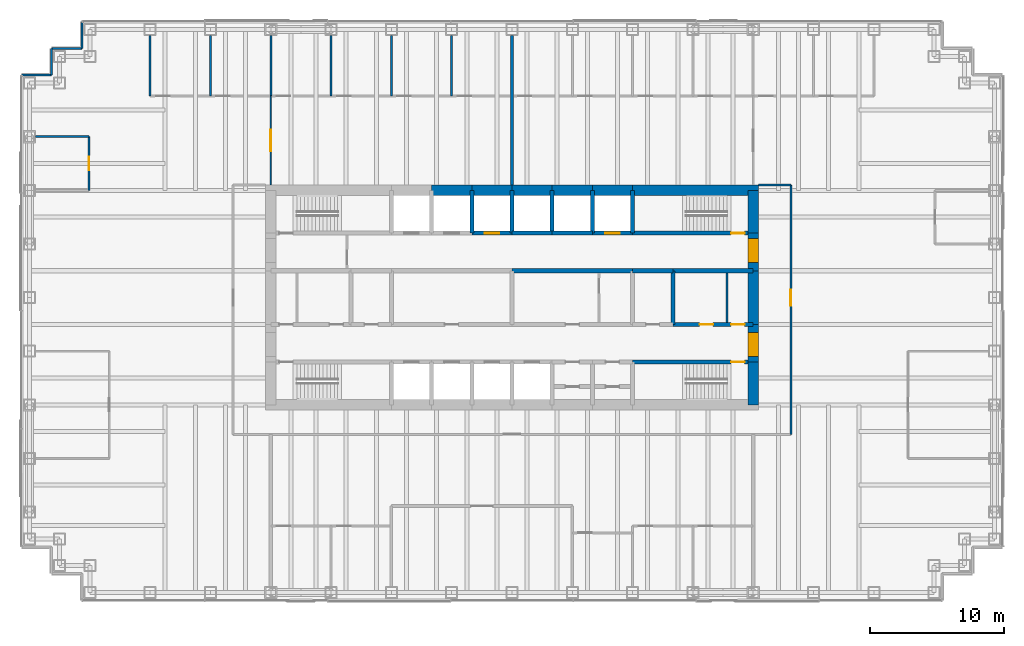
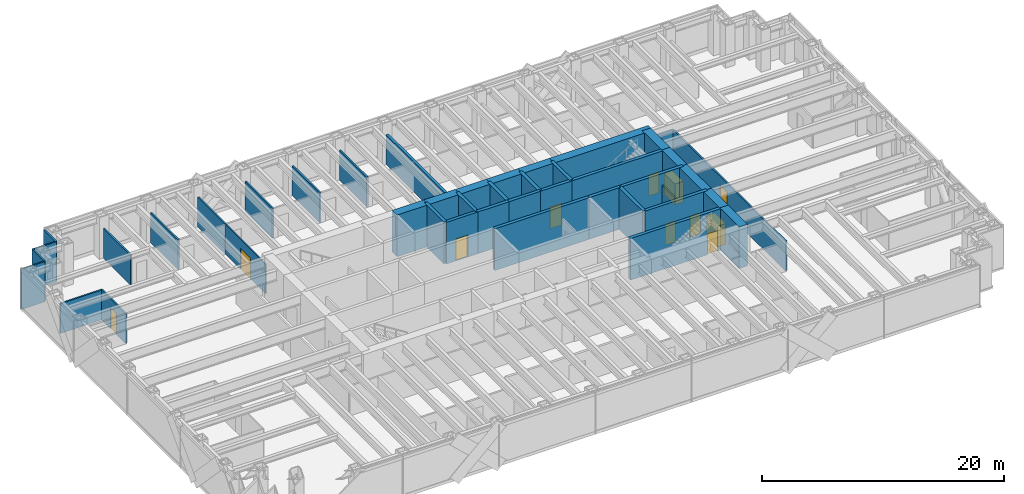
# One storey, part 14 of 17: 44 walls, 11 doors, 11 openings.
"""IFC4 building model written with IfcOpenShell, lengths in metres."""

from ifc_helpers import new_model, si_unit, direction, frame, frame_2d, origin, place, context, subcontext, project, spatial, rectangle, extrude, material, layer, layer_set, type_object, element, fill, save


model = new_model("IFC4")

# Units and contexts
model_context = context("Model", 3, precision=1e-05, world=origin(), true_north=direction((0.0, 1.0)))
body_context = subcontext(model_context, "Body", "Model", "MODEL_VIEW")
ifc_project = project(units=[si_unit("LENGTHUNIT", "METRE"), si_unit("AREAUNIT", "SQUARE_METRE"), si_unit("VOLUMEUNIT", "CUBIC_METRE"), si_unit("PLANEANGLEUNIT", "RADIAN"), si_unit("MASSUNIT", "GRAM", prefix="KILO")], contexts=[model_context])

# Site, building, storey
site_placement = place(None, origin())
site = spatial("IfcSite", under=ifc_project, at=site_placement, CompositionType="ELEMENT")
building_placement = place(site_placement, origin())
building = spatial("IfcBuilding", under=site, at=building_placement, Name="Rheinbord Bourse Tower", CompositionType="ELEMENT")
storey_placement = place(building_placement, frame((0.0, 0.0, 227.800048828125)))
storey = spatial("IfcBuildingStorey", under=building, at=storey_placement, Name="L51", CompositionType="ELEMENT", Elevation=227.800048828125)

# Wall, opening, door
ifc_material_1 = material(Name="Concrete C50/60", Category="concrete")
ifc_layer_1 = layer(ifc_material_1, 0.300048828125)
ifc_layer_set_1 = layer_set([ifc_layer_1], Name="CORE INNER WALL 300")
wall_type_1 = type_object("IfcWallType", Name="CORE INNER WALL 300", PredefinedType="SOLIDWALL", material=ifc_layer_set_1)
wall_1_placement = place(storey_placement, frame((45.0, 19.199951171875, 0.0), z_axis=(0.0, 0.0, 1.0), x_axis=(1.0, 0.0, 0.0)))
wall_1 = element("IfcWall", 1, at=wall_1_placement, inside=storey, type_object=wall_type_1, Name="Core wall A8 L51", PredefinedType="SOLIDWALL", context=body_context, shape_type="SweptSolid", body=[
    extrude(rectangle(XDim=9.0, YDim=0.300048828125, at=frame_2d((4.5, 0.0))), origin(), (0.0, 0.0, 1.0), 4.199951171875),
])
opening_1_placement = place(wall_1_placement, frame((7.35009765625, 0.0, 0.0)))
opening_1 = element("IfcOpeningElement", 2, at=opening_1_placement, cuts=wall_1, Name="Opening 5130", PredefinedType="OPENING", context=body_context, shape_type="SweptSolid", body=[
    extrude(rectangle(XDim=1.0, YDim=2.10009765625, at=frame_2d((0.5, 1.050048828125))), frame((0.0, 0.159912109375, 0.0), z_axis=(0.0, -1.0, 0.0), x_axis=(1.0, 0.0, 0.0)), (0.0, 0.0, 1.0), 0.320068359375),
])
ifc_material_2 = material(Name="Steel door", Category="steel")
door_type_1 = type_object("IfcDoorType", Name="DOOR 1000 EI30", OperationType="SINGLE_SWING_LEFT", PredefinedType="DOOR", material=ifc_material_2)
door_1_placement = place(opening_1_placement, origin())
door_1 = element("IfcDoor", 3, at=door_1_placement, inside=storey, type_object=door_type_1, Name="Stair door ST3 L51", OperationType="SINGLE_SWING_RIGHT", OverallHeight=2.10009765625, OverallWidth=1.0, PredefinedType="DOOR", context=body_context, shape_type="SweptSolid", body=[
    extrude(rectangle(XDim=1.0, YDim=2.10009765625, at=frame_2d((0.5, 1.050048828125))), frame((0.0, 0.02490234375, 0.0), z_axis=(0.0, -1.0, 0.0), x_axis=(1.0, 0.0, 0.0)), (0.0, 0.0, 1.0), 0.050048828125),
])
fill(opening_1, door_1)

wall_2_placement = place(storey_placement, frame((33.0, 28.800048828125, 0.0), z_axis=(0.0, 0.0, 1.0), x_axis=(1.0, 0.0, 0.0)))
wall_2 = element("IfcWall", 4, at=wall_2_placement, inside=storey, type_object=wall_type_1, Name="Core wall B4 L51", PredefinedType="SOLIDWALL", context=body_context, shape_type="SweptSolid", body=[
    extrude(rectangle(XDim=3.0, YDim=0.300048828125, at=frame_2d((1.5, 0.0))), origin(), (0.0, 0.0, 1.0), 4.199951171875),
])
opening_2_placement = place(wall_2_placement, frame((0.949951171875, 0.0, 0.0)))
opening_2 = element("IfcOpeningElement", 5, at=opening_2_placement, cuts=wall_2, Name="Opening PC5", PredefinedType="OPENING", context=body_context, shape_type="SweptSolid", body=[
    extrude(rectangle(XDim=1.10009765625, YDim=2.199951171875, at=frame_2d((0.550048828125, 1.10009765625))), frame((0.0, 0.159912109375, 0.0), z_axis=(0.0, -1.0, 0.0), x_axis=(1.0, 0.0, 0.0)), (0.0, 0.0, 1.0), 0.320068359375),
])
ifc_material_3 = material(Name="Steel landing door", Category="steel")
door_type_2 = type_object("IfcDoorType", Name="LIFT LANDING DOOR 1100", OperationType="DOUBLE_DOOR_SLIDING", PredefinedType="USERDEFINED", material=ifc_material_3)
door_2_placement = place(opening_2_placement, origin())
door_2 = element("IfcDoor", 6, at=door_2_placement, inside=storey, type_object=door_type_2, Name="Lift landing door PC5 L51", ObjectType="LIFT LANDING DOOR", OperationType="DOUBLE_DOOR_SLIDING", OverallHeight=2.199951171875, OverallWidth=1.10009765625, PredefinedType="USERDEFINED", context=body_context, shape_type="SweptSolid", body=[
    extrude(rectangle(XDim=1.10009765625, YDim=2.199951171875, at=frame_2d((0.550048828125, 1.10009765625))), frame((0.0, 0.02490234375, 0.0), z_axis=(0.0, -1.0, 0.0), x_axis=(1.0, 0.0, 0.0)), (0.0, 0.0, 1.0), 0.050048828125),
])
fill(opening_2, door_2)

# Walls
for number, where, z_axis, x_axis, name in (
    (7, (36.0, 28.800048828125, 0.0), (0.0, 0.0, 1.0), (1.0, 0.0, 0.0), "Core wall B5 L51"),
    (8, (39.0, 28.800048828125, 0.0), (0.0, 0.0, 1.0), (1.0, 0.0, 0.0), "Core wall B6 L51"),
):
    element("IfcWall", number, at=place(storey_placement, frame(where, z_axis=z_axis, x_axis=x_axis)), inside=storey, type_object=wall_type_1, Name=name, PredefinedType="SOLIDWALL", context=body_context, shape_type="SweptSolid", body=[
        extrude(rectangle(XDim=3.0, YDim=0.300048828125, at=frame_2d((1.5, 0.0))), origin(), (0.0, 0.0, 1.0), 4.199951171875),
    ])

# Wall, opening, door
wall_3_placement = place(storey_placement, frame((42.0, 28.800048828125, 0.0), z_axis=(0.0, 0.0, 1.0), x_axis=(1.0, 0.0, 0.0)))
wall_3 = element("IfcWall", 9, at=wall_3_placement, inside=storey, type_object=wall_type_1, Name="Core wall B7 L51", PredefinedType="SOLIDWALL", context=body_context, shape_type="SweptSolid", body=[
    extrude(rectangle(XDim=3.0, YDim=0.300048828125, at=frame_2d((1.5, 0.0))), origin(), (0.0, 0.0, 1.0), 4.199951171875),
])
opening_3_placement = place(wall_3_placement, frame((0.949951171875, 0.0, 0.0)))
opening_3 = element("IfcOpeningElement", 10, at=opening_3_placement, cuts=wall_3, Name="Opening FL2", PredefinedType="OPENING", context=body_context, shape_type="SweptSolid", body=[
    extrude(rectangle(XDim=1.10009765625, YDim=2.199951171875, at=frame_2d((0.550048828125, 1.10009765625))), frame((0.0, 0.159912109375, 0.0), z_axis=(0.0, -1.0, 0.0), x_axis=(1.0, 0.0, 0.0)), (0.0, 0.0, 1.0), 0.320068359375),
])
door_3_placement = place(opening_3_placement, origin())
door_3 = element("IfcDoor", 11, at=door_3_placement, inside=storey, type_object=door_type_2, Name="Lift landing door FL2 L51", ObjectType="LIFT LANDING DOOR", OperationType="DOUBLE_DOOR_SLIDING", OverallHeight=2.199951171875, OverallWidth=1.10009765625, PredefinedType="USERDEFINED", context=body_context, shape_type="SweptSolid", body=[
    extrude(rectangle(XDim=1.10009765625, YDim=2.199951171875, at=frame_2d((0.550048828125, 1.10009765625))), frame((0.0, 0.02490234375, 0.0), z_axis=(0.0, -1.0, 0.0), x_axis=(1.0, 0.0, 0.0)), (0.0, 0.0, 1.0), 0.050048828125),
])
fill(opening_3, door_3)

wall_4_placement = place(storey_placement, frame((45.0, 28.800048828125, 0.0), z_axis=(0.0, 0.0, 1.0), x_axis=(1.0, 0.0, 0.0)))
wall_4 = element("IfcWall", 12, at=wall_4_placement, inside=storey, type_object=wall_type_1, Name="Core wall B8 L51", PredefinedType="SOLIDWALL", context=body_context, shape_type="SweptSolid", body=[
    extrude(rectangle(XDim=9.0, YDim=0.300048828125, at=frame_2d((4.5, 0.0))), origin(), (0.0, 0.0, 1.0), 4.199951171875),
])
opening_4_placement = place(wall_4_placement, frame((7.35009765625, 0.0, 0.0)))
opening_4 = element("IfcOpeningElement", 13, at=opening_4_placement, cuts=wall_4, Name="Opening 5140", PredefinedType="OPENING", context=body_context, shape_type="SweptSolid", body=[
    extrude(rectangle(XDim=1.0, YDim=2.10009765625, at=frame_2d((0.5, 1.050048828125))), frame((0.0, 0.159912109375, 0.0), z_axis=(0.0, -1.0, 0.0), x_axis=(1.0, 0.0, 0.0)), (0.0, 0.0, 1.0), 0.320068359375),
])
door_4_placement = place(opening_4_placement, origin())
door_4 = element("IfcDoor", 14, at=door_4_placement, inside=storey, type_object=door_type_1, Name="Stair door ST4 L51", OperationType="SINGLE_SWING_RIGHT", OverallHeight=2.10009765625, OverallWidth=1.0, PredefinedType="DOOR", context=body_context, shape_type="SweptSolid", body=[
    extrude(rectangle(XDim=1.0, YDim=2.10009765625, at=frame_2d((0.5, 1.050048828125))), frame((0.0, 0.02490234375, 0.0), z_axis=(0.0, -1.0, 0.0), x_axis=(1.0, 0.0, 0.0)), (0.0, 0.0, 1.0), 0.050048828125),
])
fill(opening_4, door_4)

# Wall, openings, doors
wall_5_placement = place(storey_placement, frame((48.0, 22.0, 0.0), z_axis=(0.0, 0.0, 1.0), x_axis=(1.0, 0.0, 0.0)))
wall_5 = element("IfcWall", 15, at=wall_5_placement, inside=storey, type_object=wall_type_1, Name="Core wall C6 L51", PredefinedType="SOLIDWALL", context=body_context, shape_type="SweptSolid", body=[
    extrude(rectangle(XDim=6.0, YDim=0.300048828125, at=frame_2d((3.0, 0.0))), origin(), (0.0, 0.0, 1.0), 4.199951171875),
])
opening_5_placement = place(wall_5_placement, frame((2.0, 0.0, 0.0)))
opening_5 = element("IfcOpeningElement", 16, at=opening_5_placement, cuts=wall_5, Name="Opening 51R6", PredefinedType="OPENING", context=body_context, shape_type="SweptSolid", body=[
    extrude(rectangle(XDim=1.0, YDim=2.10009765625, at=frame_2d((0.5, 1.050048828125))), frame((0.0, 0.159912109375, 0.0), z_axis=(0.0, -1.0, 0.0), x_axis=(1.0, 0.0, 0.0)), (0.0, 0.0, 1.0), 0.320068359375),
])
opening_6_placement = place(wall_5_placement, frame((4.35009765625, 0.0, 0.0)))
opening_6 = element("IfcOpeningElement", 17, at=opening_6_placement, cuts=wall_5, Name="Opening 51R10", PredefinedType="OPENING", context=body_context, shape_type="SweptSolid", body=[
    extrude(rectangle(XDim=1.0, YDim=2.10009765625, at=frame_2d((0.5, 1.050048828125))), frame((0.0, 0.159912109375, 0.0), z_axis=(0.0, -1.0, 0.0), x_axis=(1.0, 0.0, 0.0)), (0.0, 0.0, 1.0), 0.320068359375),
])
door_5_placement = place(opening_6_placement, origin())
door_5 = element("IfcDoor", 18, at=door_5_placement, inside=storey, type_object=door_type_1, Name="Cleaner's store door L51", OperationType="SINGLE_SWING_RIGHT", OverallHeight=2.10009765625, OverallWidth=1.0, PredefinedType="DOOR", context=body_context, shape_type="SweptSolid", body=[
    extrude(rectangle(XDim=1.0, YDim=2.10009765625, at=frame_2d((0.5, 1.050048828125))), frame((0.0, 0.02490234375, 0.0), z_axis=(0.0, -1.0, 0.0), x_axis=(1.0, 0.0, 0.0)), (0.0, 0.0, 1.0), 0.050048828125),
])
fill(opening_6, door_5)
ifc_material_4 = material(Name="Timber door", Category="wood")
door_type_3 = type_object("IfcDoorType", Name="DOOR 1000 WC", OperationType="SINGLE_SWING_LEFT", PredefinedType="DOOR", material=ifc_material_4)
door_6_placement = place(opening_5_placement, origin())
door_6 = element("IfcDoor", 19, at=door_6_placement, inside=storey, type_object=door_type_3, Name="WC women door L51", OperationType="SINGLE_SWING_LEFT", OverallHeight=2.10009765625, OverallWidth=1.0, PredefinedType="DOOR", context=body_context, shape_type="SweptSolid", body=[
    extrude(rectangle(XDim=1.0, YDim=2.10009765625, at=frame_2d((0.5, 1.050048828125))), frame((0.0, 0.02490234375, 0.0), z_axis=(0.0, -1.0, 0.0), x_axis=(1.0, 0.0, 0.0)), (0.0, 0.0, 1.0), 0.050048828125),
])
fill(opening_5, door_6)

# Walls
wall_6_placement = place(storey_placement, frame((36.0, 26.0, 0.0), z_axis=(0.0, 0.0, 1.0), x_axis=(1.0, 0.0, 0.0)))
element("IfcWall", 20, at=wall_6_placement, inside=storey, type_object=wall_type_1, Name="Core wall D4 L51", PredefinedType="SOLIDWALL", context=body_context, shape_type="SweptSolid", body=[
    extrude(rectangle(XDim=9.0, YDim=0.300048828125, at=frame_2d((4.5, 0.0))), origin(), (0.0, 0.0, 1.0), 4.199951171875),
])
wall_7_placement = place(storey_placement, frame((45.0, 26.0, 0.0), z_axis=(0.0, 0.0, 1.0), x_axis=(1.0, 0.0, 0.0)))
element("IfcWall", 21, at=wall_7_placement, inside=storey, type_object=wall_type_1, Name="Core wall D5 L51", PredefinedType="SOLIDWALL", context=body_context, shape_type="SweptSolid", body=[
    extrude(rectangle(XDim=3.0, YDim=0.300048828125, at=frame_2d((1.5, 0.0))), origin(), (0.0, 0.0, 1.0), 4.199951171875),
])
wall_8_placement = place(storey_placement, frame((48.0, 26.0, 0.0), z_axis=(0.0, 0.0, 1.0), x_axis=(1.0, 0.0, 0.0)))
element("IfcWall", 22, at=wall_8_placement, inside=storey, type_object=wall_type_1, Name="Core wall D6 L51", PredefinedType="SOLIDWALL", context=body_context, shape_type="SweptSolid", body=[
    extrude(rectangle(XDim=6.0, YDim=0.300048828125, at=frame_2d((3.0, 0.0))), origin(), (0.0, 0.0, 1.0), 4.199951171875),
])
for number, where, z_axis, x_axis, name in (
    (23, (33.0, 28.800048828125, 0.0), (0.0, 0.0, 1.0), (0.0, 1.0, 0.0), "Core wall NX33 L51"),
    (24, (36.0, 28.800048828125, 0.0), (0.0, 0.0, 1.0), (0.0, 1.0, 0.0), "Core wall NX36 L51"),
    (25, (39.0, 28.800048828125, 0.0), (0.0, 0.0, 1.0), (0.0, 1.0, 0.0), "Core wall NX39 L51"),
    (26, (42.0, 28.800048828125, 0.0), (0.0, 0.0, 1.0), (0.0, 1.0, 0.0), "Core wall NX42 L51"),
    (27, (45.0, 28.800048828125, 0.0), (0.0, 0.0, 1.0), (0.0, 1.0, 0.0), "Core wall NX45 L51"),
):
    element("IfcWall", number, at=place(storey_placement, frame(where, z_axis=z_axis, x_axis=x_axis)), inside=storey, type_object=wall_type_1, Name=name, PredefinedType="SOLIDWALL", context=body_context, shape_type="SweptSolid", body=[
        extrude(rectangle(XDim=3.199951171875, YDim=0.300048828125, at=frame_2d((1.60009765625, 0.0))), origin(), (0.0, 0.0, 1.0), 4.199951171875),
    ])
wall_9_placement = place(storey_placement, frame((48.0, 22.0, 0.0), z_axis=(0.0, 0.0, 1.0), x_axis=(0.0, 1.0, 0.0)))
element("IfcWall", 28, at=wall_9_placement, inside=storey, type_object=wall_type_1, Name="Core wall MX48 L51", PredefinedType="SOLIDWALL", context=body_context, shape_type="SweptSolid", body=[
    extrude(rectangle(XDim=4.0, YDim=0.300048828125, at=frame_2d((2.0, 0.0))), origin(), (0.0, 0.0, 1.0), 4.199951171875),
])
ifc_material_5 = material(Name="Gypsum board fire partition", Category="gypsum board")
ifc_layer_2 = layer(ifc_material_5, 0.14990234375)
ifc_layer_set_2 = layer_set([ifc_layer_2], Name="CORE PARTITION 150 EI30")
wall_type_2 = type_object("IfcWallType", Name="CORE PARTITION 150 EI30", PredefinedType="PARTITIONING", material=ifc_layer_set_2)
wall_10_placement = place(storey_placement, frame((52.02490234375, 22.14990234375, 0.0), z_axis=(0.0, 0.0, 1.0), x_axis=(0.0, 1.0, 0.0)))
element("IfcWall", 29, at=wall_10_placement, inside=storey, type_object=wall_type_2, Name="Core partition L51-3", PredefinedType="PARTITIONING", context=body_context, shape_type="SweptSolid", body=[
    extrude(rectangle(XDim=3.7001953125, YDim=0.14990234375, at=frame_2d((1.85009765625, 0.0))), origin(), (0.0, 0.0, 1.0), 3.0),
])
ifc_material_6 = material(Name="Concrete C50/60", Category="concrete")
ifc_layer_3 = layer(ifc_material_6, 0.800048828125)
ifc_layer_set_3 = layer_set([ifc_layer_3], Name="CORE WALL 800")
wall_type_3 = type_object("IfcWallType", Name="CORE WALL 800", PredefinedType="SHEAR", material=ifc_layer_set_3)
wall_11_placement = place(storey_placement, frame((54.39990234375, 32.0, 0.0), z_axis=(0.0, 0.0, 1.0), x_axis=(-1.0, 0.0, 0.0)))
element("IfcWall", 30, at=wall_11_placement, inside=storey, type_object=wall_type_3, Name="Core wall N1 L51", PredefinedType="SHEAR", context=body_context, shape_type="SweptSolid", body=[
    extrude(rectangle(XDim=9.39990234375, YDim=0.800048828125, at=frame_2d((4.699951171875, 0.0))), origin(), (0.0, 0.0, 1.0), 4.199951171875),
])
for number, where, z_axis, x_axis, name in (
    (31, (45.0, 32.0, 0.0), (0.0, 0.0, 1.0), (-1.0, 0.0, 0.0), "Core wall N2 L51"),
    (32, (42.0, 32.0, 0.0), (0.0, 0.0, 1.0), (-1.0, 0.0, 0.0), "Core wall N3 L51"),
    (33, (39.0, 32.0, 0.0), (0.0, 0.0, 1.0), (-1.0, 0.0, 0.0), "Core wall N4 L51"),
    (34, (36.0, 32.0, 0.0), (0.0, 0.0, 1.0), (-1.0, 0.0, 0.0), "Core wall N5 L51"),
    (35, (33.0, 32.0, 0.0), (0.0, 0.0, 1.0), (-1.0, 0.0, 0.0), "Core wall N6 L51"),
):
    element("IfcWall", number, at=place(storey_placement, frame(where, z_axis=z_axis, x_axis=x_axis)), inside=storey, type_object=wall_type_3, Name=name, PredefinedType="SHEAR", context=body_context, shape_type="SweptSolid", body=[
        extrude(rectangle(XDim=3.0, YDim=0.800048828125, at=frame_2d((1.5, 0.0))), origin(), (0.0, 0.0, 1.0), 4.199951171875),
    ])
wall_12_placement = place(storey_placement, frame((54.0, 16.0, 0.0), z_axis=(0.0, 0.0, 1.0), x_axis=(0.0, 1.0, 0.0)))
element("IfcWall", 36, at=wall_12_placement, inside=storey, type_object=wall_type_3, Name="Core wall E1 L51", PredefinedType="SHEAR", context=body_context, shape_type="SweptSolid", body=[
    extrude(rectangle(XDim=3.199951171875, YDim=0.800048828125, at=frame_2d((1.60009765625, 0.0))), origin(), (0.0, 0.0, 1.0), 4.199951171875),
])

# Wall, opening, door
wall_13_placement = place(storey_placement, frame((54.0, 19.199951171875, 0.0), z_axis=(0.0, 0.0, 1.0), x_axis=(0.0, 1.0, 0.0)))
wall_13 = element("IfcWall", 37, at=wall_13_placement, inside=storey, type_object=wall_type_3, Name="Core wall E2 L51", PredefinedType="SHEAR", context=body_context, shape_type="SweptSolid", body=[
    extrude(rectangle(XDim=2.800048828125, YDim=0.800048828125, at=frame_2d((1.39990234375, 0.0))), origin(), (0.0, 0.0, 1.0), 4.199951171875),
])
opening_7_placement = place(wall_13_placement, frame((0.39990234375, 0.0, 0.0)))
opening_7 = element("IfcOpeningElement", 38, at=opening_7_placement, cuts=wall_13, Name="Opening 51L3", PredefinedType="OPENING", context=body_context, shape_type="SweptSolid", body=[
    extrude(rectangle(XDim=1.800048828125, YDim=2.10009765625, at=frame_2d((0.89990234375, 1.050048828125))), frame((0.0, 0.409912109375, 0.0), z_axis=(0.0, -1.0, 0.0), x_axis=(1.0, 0.0, 0.0)), (0.0, 0.0, 1.0), 0.820068359375),
])
ifc_material_7 = material(Name="Steel door", Category="steel")
door_type_4 = type_object("IfcDoorType", Name="DOOR 1800 EI30 DOUBLE", OperationType="DOUBLE_DOOR_DOUBLE_SWING", PredefinedType="DOOR", material=ifc_material_7)
door_7_placement = place(opening_7_placement, origin())
door_7 = element("IfcDoor", 39, at=door_7_placement, inside=storey, type_object=door_type_4, Name="Lobby door 3 L51", OperationType="SINGLE_SWING_LEFT", OverallHeight=2.10009765625, OverallWidth=1.800048828125, PredefinedType="DOOR", context=body_context, shape_type="SweptSolid", body=[
    extrude(rectangle(XDim=1.800048828125, YDim=2.10009765625, at=frame_2d((0.89990234375, 1.050048828125))), frame((0.0, 0.39990234375, 0.0), z_axis=(0.0, -1.0, 0.0), x_axis=(1.0, 0.0, 0.0)), (0.0, 0.0, 1.0), 0.799560546875),
])
fill(opening_7, door_7)

# Wall
wall_14_placement = place(storey_placement, frame((54.0, 22.0, 0.0), z_axis=(0.0, 0.0, 1.0), x_axis=(0.0, 1.0, 0.0)))
element("IfcWall", 40, at=wall_14_placement, inside=storey, type_object=wall_type_3, Name="Core wall E3 L51", PredefinedType="SHEAR", context=body_context, shape_type="SweptSolid", body=[
    extrude(rectangle(XDim=4.0, YDim=0.800048828125, at=frame_2d((2.0, 0.0))), origin(), (0.0, 0.0, 1.0), 4.199951171875),
])

# Wall, opening, door
wall_15_placement = place(storey_placement, frame((54.0, 26.0, 0.0), z_axis=(0.0, 0.0, 1.0), x_axis=(0.0, 1.0, 0.0)))
wall_15 = element("IfcWall", 41, at=wall_15_placement, inside=storey, type_object=wall_type_3, Name="Core wall E4 L51", PredefinedType="SHEAR", context=body_context, shape_type="SweptSolid", body=[
    extrude(rectangle(XDim=2.800048828125, YDim=0.800048828125, at=frame_2d((1.39990234375, 0.0))), origin(), (0.0, 0.0, 1.0), 4.199951171875),
])
opening_8_placement = place(wall_15_placement, frame((0.60009765625, 0.0, 0.0)))
opening_8 = element("IfcOpeningElement", 42, at=opening_8_placement, cuts=wall_15, Name="Opening 51L4", PredefinedType="OPENING", context=body_context, shape_type="SweptSolid", body=[
    extrude(rectangle(XDim=1.800048828125, YDim=2.10009765625, at=frame_2d((0.89990234375, 1.050048828125))), frame((0.0, 0.409912109375, 0.0), z_axis=(0.0, -1.0, 0.0), x_axis=(1.0, 0.0, 0.0)), (0.0, 0.0, 1.0), 0.820068359375),
])
door_8_placement = place(opening_8_placement, origin())
door_8 = element("IfcDoor", 43, at=door_8_placement, inside=storey, type_object=door_type_4, Name="Lobby door 4 L51", OperationType="SINGLE_SWING_LEFT", OverallHeight=2.10009765625, OverallWidth=1.800048828125, PredefinedType="DOOR", context=body_context, shape_type="SweptSolid", body=[
    extrude(rectangle(XDim=1.800048828125, YDim=2.10009765625, at=frame_2d((0.89990234375, 1.050048828125))), frame((0.0, 0.39990234375, 0.0), z_axis=(0.0, -1.0, 0.0), x_axis=(1.0, 0.0, 0.0)), (0.0, 0.0, 1.0), 0.799560546875),
])
fill(opening_8, door_8)

# Walls
wall_16_placement = place(storey_placement, frame((54.0, 28.800048828125, 0.0), z_axis=(0.0, 0.0, 1.0), x_axis=(0.0, 1.0, 0.0)))
element("IfcWall", 44, at=wall_16_placement, inside=storey, type_object=wall_type_3, Name="Core wall E5 L51", PredefinedType="SHEAR", context=body_context, shape_type="SweptSolid", body=[
    extrude(rectangle(XDim=3.199951171875, YDim=0.800048828125, at=frame_2d((1.60009765625, 0.0))), origin(), (0.0, 0.0, 1.0), 4.199951171875),
])
ifc_material_8 = material(Name="Black metal rainscreen panel", Category="aluminium")
ifc_layer_4 = layer(ifc_material_8, 0.14990234375)
ifc_layer_set_4 = layer_set([ifc_layer_4], Name="CORNER PIER CLADDING 150")
wall_type_4 = type_object("IfcWallType", Name="CORNER PIER CLADDING 150", PredefinedType="ELEMENTEDWALL", material=ifc_layer_set_4)
wall_17_placement = place(storey_placement, frame((3.89990234375, 44.60009765625, 0.0), z_axis=(0.0, 0.0, 1.0), x_axis=(0.0, -1.0, 0.0)))
element("IfcWall", 45, at=wall_17_placement, inside=storey, type_object=wall_type_4, Name="Corner pier cladding L51 12", PredefinedType="ELEMENTEDWALL", context=body_context, shape_type="SweptSolid", body=[
    extrude(rectangle(XDim=2.0, YDim=0.14990234375, at=frame_2d((1.0, 0.0))), origin(), (0.0, 0.0, 1.0), 4.0400390625),
])
wall_18_placement = place(storey_placement, frame((3.89990234375, 42.60009765625, 0.0), z_axis=(0.0, 0.0, 1.0), x_axis=(-1.0, 0.0, 0.0)))
element("IfcWall", 46, at=wall_18_placement, inside=storey, type_object=wall_type_4, Name="Corner pier cladding L51 13", PredefinedType="ELEMENTEDWALL", context=body_context, shape_type="SweptSolid", body=[
    extrude(rectangle(XDim=2.25, YDim=0.14990234375, at=frame_2d((1.125, 0.0))), origin(), (0.0, 0.0, 1.0), 4.0400390625),
])
wall_19_placement = place(storey_placement, frame((1.64990234375, 42.60009765625, 0.0), z_axis=(0.0, 0.0, 1.0), x_axis=(0.0, -1.0, 0.0)))
element("IfcWall", 47, at=wall_19_placement, inside=storey, type_object=wall_type_4, Name="Corner pier cladding L51 14", PredefinedType="ELEMENTEDWALL", context=body_context, shape_type="SweptSolid", body=[
    extrude(rectangle(XDim=2.0, YDim=0.14990234375, at=frame_2d((1.0, 0.0))), origin(), (0.0, 0.0, 1.0), 4.0400390625),
])
wall_20_placement = place(storey_placement, frame((1.64990234375, 40.60009765625, 0.0), z_axis=(0.0, 0.0, 1.0), x_axis=(-1.0, 0.0, 0.0)))
element("IfcWall", 48, at=wall_20_placement, inside=storey, type_object=wall_type_4, Name="Corner pier cladding L51 15", PredefinedType="ELEMENTEDWALL", context=body_context, shape_type="SweptSolid", body=[
    extrude(rectangle(XDim=2.25, YDim=0.14990234375, at=frame_2d((1.125, 0.0))), origin(), (0.0, 0.0, 1.0), 4.0400390625),
])
ifc_material_9 = material(Name="Gypsum board corridor partition", Category="gypsum board")
ifc_layer_5 = layer(ifc_material_9, 0.14990234375)
ifc_layer_set_5 = layer_set([ifc_layer_5], Name="CORRIDOR PARTITION 150 EI30")
wall_type_5 = type_object("IfcWallType", Name="CORRIDOR PARTITION 150 EI30", PredefinedType="PARTITIONING", material=ifc_layer_set_5)
wall_21_placement = place(storey_placement, frame((54.39990234375, 32.39990234375, 0.0), z_axis=(0.0, 0.0, 1.0), x_axis=(1.0, 0.0, 0.0)))
element("IfcWall", 49, at=wall_21_placement, inside=storey, type_object=wall_type_5, Name="Partition L51-14", PredefinedType="PARTITIONING", context=body_context, shape_type="SweptSolid", body=[
    extrude(rectangle(XDim=2.400146484375, YDim=0.14990234375, at=frame_2d((1.2001953125, 0.0))), origin(), (0.0, 0.0, 1.0), 3.0),
])

# Wall, opening, door
wall_22_placement = place(storey_placement, frame((56.800048828125, 13.800048828125, 0.0), z_axis=(0.0, 0.0, 1.0), x_axis=(0.0, 1.0, 0.0)))
wall_22 = element("IfcWall", 50, at=wall_22_placement, inside=storey, type_object=wall_type_5, Name="Partition L51-40", PredefinedType="PARTITIONING", context=body_context, shape_type="SweptSolid", body=[
    extrude(rectangle(XDim=18.599853515625, YDim=0.14990234375, at=frame_2d((9.2998046875, 0.0))), origin(), (0.0, 0.0, 1.0), 3.0),
])
opening_9_placement = place(wall_22_placement, frame((9.60009765625, 0.0, 0.0)))
opening_9 = element("IfcOpeningElement", 51, at=opening_9_placement, cuts=wall_22, Name="Opening 51D27", PredefinedType="OPENING", context=body_context, shape_type="SweptSolid", body=[
    extrude(rectangle(XDim=1.199951171875, YDim=2.10009765625, at=frame_2d((0.60009765625, 1.050048828125))), frame((0.0, 0.0849609375, 0.0), z_axis=(0.0, -1.0, 0.0), x_axis=(1.0, 0.0, 0.0)), (0.0, 0.0, 1.0), 0.169921875),
])
ifc_material_10 = material(Name="Timber fire door", Category="wood")
door_type_5 = type_object("IfcDoorType", Name="SUITE ENTRANCE DOOR 1200 EI30", OperationType="SINGLE_SWING_LEFT", PredefinedType="DOOR", material=ifc_material_10)
door_9_placement = place(opening_9_placement, origin())
door_9 = element("IfcDoor", 52, at=door_9_placement, inside=storey, type_object=door_type_5, Name="Suite entrance 3 door L51", OperationType="SINGLE_SWING_RIGHT", OverallHeight=2.10009765625, OverallWidth=1.199951171875, PredefinedType="DOOR", context=body_context, shape_type="SweptSolid", body=[
    extrude(rectangle(XDim=1.199951171875, YDim=2.10009765625, at=frame_2d((0.60009765625, 1.050048828125))), frame((0.0, 0.02490234375, 0.0), z_axis=(0.0, -1.0, 0.0), x_axis=(1.0, 0.0, 0.0)), (0.0, 0.0, 1.0), 0.050048828125),
])
fill(opening_9, door_9)

# Wall
ifc_material_11 = material(Name="Gypsum board tenancy wall", Category="gypsum board")
ifc_layer_6 = layer(ifc_material_11, 0.25)
ifc_layer_set_6 = layer_set([ifc_layer_6], Name="DEMISING PARTITION 250 EI60")
wall_type_6 = type_object("IfcWallType", Name="DEMISING PARTITION 250 EI60", PredefinedType="PARTITIONING", material=ifc_layer_set_6)
wall_23_placement = place(storey_placement, frame((36.0, 32.39990234375, 0.0), z_axis=(0.0, 0.0, 1.0), x_axis=(0.0, 1.0, 0.0)))
element("IfcWall", 53, at=wall_23_placement, inside=storey, type_object=wall_type_6, Name="Partition L51-30", PredefinedType="PARTITIONING", context=body_context, shape_type="SweptSolid", body=[
    extrude(rectangle(XDim=11.150146484375, YDim=0.25, at=frame_2d((5.5751953125, 0.0))), origin(), (0.0, 0.0, 1.0), 3.0),
])

# Wall, opening, door
ifc_material_12 = material(Name="Toughened laminated glass partition", Category="glass")
ifc_layer_7 = layer(ifc_material_12, 0.10009765625)
ifc_layer_set_7 = layer_set([ifc_layer_7], Name="GLAZED PARTITION 100")
wall_type_7 = type_object("IfcWallType", Name="GLAZED PARTITION 100", PredefinedType="PARTITIONING", material=ifc_layer_set_7)
wall_24_placement = place(storey_placement, frame((18.0, 32.39990234375, 0.0), z_axis=(0.0, 0.0, 1.0), x_axis=(0.0, 1.0, 0.0)))
wall_24 = element("IfcWall", 54, at=wall_24_placement, inside=storey, type_object=wall_type_7, Name="Partition L51-23", PredefinedType="PARTITIONING", context=body_context, shape_type="SweptSolid", body=[
    extrude(rectangle(XDim=6.650146484375, YDim=0.10009765625, at=frame_2d((3.3251953125, 0.0))), origin(), (0.0, 0.0, 1.0), 3.0),
])
opening_10_placement = place(wall_24_placement, frame((2.52490234375, 0.0, 0.0)))
opening_10 = element("IfcOpeningElement", 55, at=opening_10_placement, cuts=wall_24, Name="Opening 51D23", PredefinedType="OPENING", context=body_context, shape_type="SweptSolid", body=[
    extrude(rectangle(XDim=1.60009765625, YDim=2.10009765625, at=frame_2d((0.800048828125, 1.050048828125))), frame((0.0, 0.06005859375, 0.0), z_axis=(0.0, -1.0, 0.0), x_axis=(1.0, 0.0, 0.0)), (0.0, 0.0, 1.0), 0.1201171875),
])
ifc_material_13 = material(Name="Timber door", Category="wood")
door_type_6 = type_object("IfcDoorType", Name="DOUBLE ROOM DOOR 1600", OperationType="DOUBLE_DOOR_DOUBLE_SWING", PredefinedType="DOOR", material=ifc_material_13)
door_10_placement = place(opening_10_placement, origin())
door_10 = element("IfcDoor", 56, at=door_10_placement, inside=storey, type_object=door_type_6, Name="Open area door L51", OperationType="SINGLE_SWING_LEFT", OverallHeight=2.10009765625, OverallWidth=1.60009765625, PredefinedType="DOOR", context=body_context, shape_type="SweptSolid", body=[
    extrude(rectangle(XDim=1.60009765625, YDim=2.10009765625, at=frame_2d((0.800048828125, 1.050048828125))), frame((0.0, 0.02490234375, 0.0), z_axis=(0.0, -1.0, 0.0), x_axis=(1.0, 0.0, 0.0)), (0.0, 0.0, 1.0), 0.050048828125),
])
fill(opening_10, door_10)

# Wall
ifc_material_14 = material(Name="Gypsum board partition", Category="gypsum board")
ifc_layer_8 = layer(ifc_material_14, 0.14990234375)
ifc_layer_set_8 = layer_set([ifc_layer_8], Name="PARTITION 150")
wall_type_8 = type_object("IfcWallType", Name="PARTITION 150", PredefinedType="PARTITIONING", material=ifc_layer_set_8)
wall_25_placement = place(storey_placement, frame((0.449951171875, 36.0, 0.0), z_axis=(0.0, 0.0, 1.0), x_axis=(1.0, 0.0, 0.0)))
element("IfcWall", 57, at=wall_25_placement, inside=storey, type_object=wall_type_8, Name="Partition L51-15", PredefinedType="PARTITIONING", context=body_context, shape_type="SweptSolid", body=[
    extrude(rectangle(XDim=4.0, YDim=0.14990234375, at=frame_2d((2.0, 0.0))), origin(), (0.0, 0.0, 1.0), 3.0),
])

# Wall, opening, door
wall_26_placement = place(storey_placement, frame((4.449951171875, 32.0, 0.0), z_axis=(0.0, 0.0, 1.0), x_axis=(0.0, 1.0, 0.0)))
wall_26 = element("IfcWall", 58, at=wall_26_placement, inside=storey, type_object=wall_type_8, Name="Partition L51-17", PredefinedType="PARTITIONING", context=body_context, shape_type="SweptSolid", body=[
    extrude(rectangle(XDim=4.0, YDim=0.14990234375, at=frame_2d((2.0, 0.0))), origin(), (0.0, 0.0, 1.0), 3.0),
])
opening_11_placement = place(wall_26_placement, frame((1.5, 0.0, 0.0)))
opening_11 = element("IfcOpeningElement", 59, at=opening_11_placement, cuts=wall_26, Name="Opening 51D10", PredefinedType="OPENING", context=body_context, shape_type="SweptSolid", body=[
    extrude(rectangle(XDim=1.0, YDim=2.10009765625, at=frame_2d((0.5, 1.050048828125))), frame((0.0, 0.0849609375, 0.0), z_axis=(0.0, -1.0, 0.0), x_axis=(1.0, 0.0, 0.0)), (0.0, 0.0, 1.0), 0.169921875),
])
ifc_material_15 = material(Name="Timber door", Category="wood")
door_type_7 = type_object("IfcDoorType", Name="ROOM DOOR 1000", OperationType="SINGLE_SWING_LEFT", PredefinedType="DOOR", material=ifc_material_15)
door_11_placement = place(opening_11_placement, origin())
door_11 = element("IfcDoor", 60, at=door_11_placement, inside=storey, type_object=door_type_7, Name="Kitchenette door L51", OperationType="SINGLE_SWING_LEFT", OverallHeight=2.10009765625, OverallWidth=1.0, PredefinedType="DOOR", context=body_context, shape_type="SweptSolid", body=[
    extrude(rectangle(XDim=1.0, YDim=2.10009765625, at=frame_2d((0.5, 1.050048828125))), frame((0.0, 0.02490234375, 0.0), z_axis=(0.0, -1.0, 0.0), x_axis=(1.0, 0.0, 0.0)), (0.0, 0.0, 1.0), 0.050048828125),
])
fill(opening_11, door_11)

# Walls
for number, where, z_axis, x_axis, name in (
    (61, (9.0, 39.050048828125, 0.0), (0.0, 0.0, 1.0), (0.0, 1.0, 0.0), "Partition L51-19"),
    (62, (13.5, 39.050048828125, 0.0), (0.0, 0.0, 1.0), (0.0, 1.0, 0.0), "Partition L51-20"),
    (63, (18.0, 39.050048828125, 0.0), (0.0, 0.0, 1.0), (0.0, 1.0, 0.0), "Partition L51-24"),
    (64, (22.5, 39.050048828125, 0.0), (0.0, 0.0, 1.0), (0.0, 1.0, 0.0), "Partition L51-26"),
    (65, (27.0, 39.050048828125, 0.0), (0.0, 0.0, 1.0), (0.0, 1.0, 0.0), "Partition L51-28"),
    (66, (31.5, 39.050048828125, 0.0), (0.0, 0.0, 1.0), (0.0, 1.0, 0.0), "Partition L51-29"),
):
    element("IfcWall", number, at=place(storey_placement, frame(where, z_axis=z_axis, x_axis=x_axis)), inside=storey, type_object=wall_type_8, Name=name, PredefinedType="PARTITIONING", context=body_context, shape_type="SweptSolid", body=[
        extrude(rectangle(XDim=4.5, YDim=0.14990234375, at=frame_2d((2.25, 0.0))), origin(), (0.0, 0.0, 1.0), 3.0),
    ])

save(model, "model.ifc")
